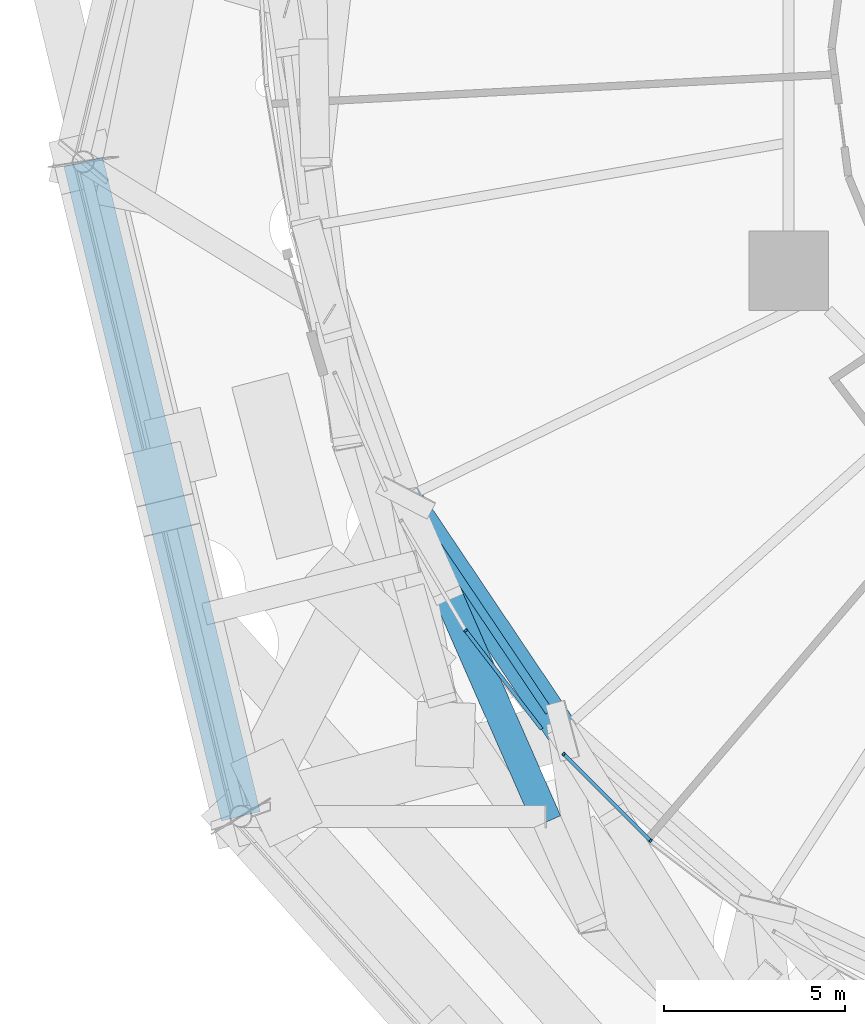
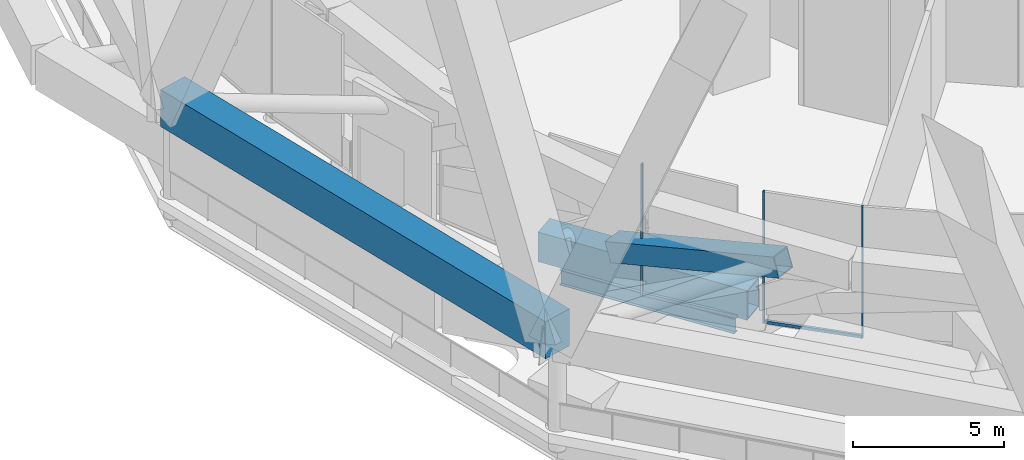
# One storey, part 4 of 65: 6 members, 3 beams, 3 elements without a shape of their own.
"""IFC4 building model written with IfcOpenShell, lengths in metres."""

from ifc_helpers import new_model, si_unit, direction, frame, origin, origin_2d, place, context, subcontext, project, spatial, rectangle, hollow_rectangle, i_section, extrude, material, layer, layer_set, material_profile, profile_set, type_object, element, aggregate, save


model = new_model("IFC4")

# Units and contexts
model_context = context("Model", 3, precision=1e-05, world=origin(), true_north=direction((0.0, 1.0)))
body_context = subcontext(model_context, "Body", "Model", "MODEL_VIEW")
ifc_project = project(units=[si_unit("LENGTHUNIT", "METRE"), si_unit("AREAUNIT", "SQUARE_METRE"), si_unit("VOLUMEUNIT", "CUBIC_METRE"), si_unit("PLANEANGLEUNIT", "RADIAN"), si_unit("MASSUNIT", "GRAM", prefix="KILO")], contexts=[model_context])

# Site, building, storey
site_placement = place(None, origin())
site = spatial("IfcSite", under=ifc_project, at=site_placement, CompositionType="ELEMENT")
building_placement = place(site_placement, origin())
building = spatial("IfcBuilding", under=site, at=building_placement, Name="Nagisa Residences", CompositionType="ELEMENT")
storey_placement = place(building_placement, frame((0.0, 0.0, 114.0)))
storey = spatial("IfcBuildingStorey", under=building, at=storey_placement, Name="L28", CompositionType="ELEMENT", Elevation=114.0)

# Beams
ifc_material_1 = material(Name="Steel ASTM A572 Gr 50", Category="steel")
ifc_material_profile_1 = material_profile(ifc_material_1, hollow_rectangle(XDim=0.89990234375, YDim=1.199951171875, WallThickness=0.050048828125, at=origin_2d()), Name="BX 900x1200x50")
ifc_profile_set_1 = profile_set([ifc_material_profile_1], Name="Steel ASTM A572 Gr 50")
beam_type_1 = type_object("IfcBeamType", Name="Belt chord 2 BX 900x1200x50", PredefinedType="BEAM", material=ifc_profile_set_1)
beam_1_placement = place(storey_placement, frame((-25.3515625, -12.389892578125, 0.60009765625), z_axis=(0.558231952624, -0.829684932411, 0.0), x_axis=(0.829684932411, 0.558231952624, 0.0)))
element("IfcBeam", 1, at=beam_1_placement, inside=storey, type_object=beam_type_1, Name="beam:L28:bt2b15", PredefinedType="BEAM", context=body_context, shape_type="SweptSolid", body=[
    extrude(hollow_rectangle(XDim=0.89990234375, YDim=1.199951171875, WallThickness=0.050048828125, at=origin_2d()), origin(), (0.0, 0.0, 1.0), 7.741943359375),
])
ifc_material_2 = material(Name="Steel ASTM A572 Gr 50", Category="steel")
ifc_material_profile_2 = material_profile(ifc_material_2, hollow_rectangle(XDim=0.800048828125, YDim=0.800048828125, WallThickness=0.044921875, at=origin_2d()), Name="BX 800x800x45")
ifc_profile_set_2 = profile_set([ifc_material_profile_2], Name="Steel ASTM A572 Gr 50")
beam_type_2 = type_object("IfcBeamType", Name="Belt diagonal 2 BX 800x800x45", PredefinedType="BEAM", material=ifc_profile_set_2)
beam_2_placement = place(storey_placement, frame((-24.171630859375, -15.080322265625, 1.550048828125), z_axis=(0.382140450454, -0.871384849552, 0.307663972702), x_axis=(0.915805947305, 0.401621048853, 0.0)))
element("IfcBeam", 2, at=beam_2_placement, inside=storey, type_object=beam_type_2, Name="beam:L28:bt2db15", PredefinedType="BEAM", context=body_context, shape_type="SweptSolid", body=[
    extrude(hollow_rectangle(XDim=0.800048828125, YDim=0.800048828125, WallThickness=0.044921875, at=origin_2d()), origin(), (0.0, 0.0, 1.0), 7.280517578125),
])

# Curtain wall, member
ifc_material_3 = material(Name="Aluminium curtain wall system", Category="aluminium")
ifc_layer = layer(ifc_material_3, 0.159912109375)
ifc_layer_set = layer_set([ifc_layer], Name="CW5 CURTAIN WALL")
curtain_wall_type = type_object("IfcCurtainWallType", Name="CW5 CURTAIN WALL", PredefinedType="NOTDEFINED", material=ifc_layer_set)
curtain_wall_1_placement = place(storey_placement, origin())
curtain_wall_1 = element("IfcCurtainWall", 3, at=curtain_wall_1_placement, inside=storey, type_object=curtain_wall_type, Name="cw:CW5:L28:29", PredefinedType="NOTDEFINED")
ifc_material_4 = material(Name="Aluminium", Category="aluminium")
ifc_material_profile_3 = material_profile(ifc_material_4, rectangle(XDim=0.10009765625, YDim=0.06005859375, at=origin_2d()), Name="CW5 MULLION 100x60")
ifc_profile_set_3 = profile_set([ifc_material_profile_3], Name="Aluminium")
member_type_1 = type_object("IfcMemberType", Name="CW5 MULLION 100x60", PredefinedType="MULLION", material=ifc_profile_set_3)
member_1_placement = place(storey_placement, frame((-23.690185546875, -16.042236328125, 0.0), z_axis=(0.0, 0.0, 1.0), x_axis=(0.792070340816, 0.610429828235, 0.0)))
member_1 = element("IfcMember", 4, at=member_1_placement, type_object=member_type_1, Name="CW5 mullion", PredefinedType="MULLION", context=body_context, shape_type="SweptSolid", body=[
    extrude(rectangle(XDim=0.10009765625, YDim=0.06005859375, at=origin_2d()), origin(), (0.0, 0.0, 1.0), 5.340087890625),
])

curtain_wall_2_placement = place(storey_placement, origin())
curtain_wall_2 = element("IfcCurtainWall", 5, at=curtain_wall_2_placement, inside=storey, type_object=curtain_wall_type, Name="cw:CW5:L28:30", PredefinedType="NOTDEFINED")
member_2_placement = place(storey_placement, frame((-20.987060546875, -19.44921875, 0.0), z_axis=(0.0, 0.0, 1.0), x_axis=(0.706376885714, 0.707835924016, 0.0)))
member_2 = element("IfcMember", 6, at=member_2_placement, type_object=member_type_1, Name="CW5 mullion", PredefinedType="MULLION", context=body_context, shape_type="SweptSolid", body=[
    extrude(rectangle(XDim=0.10009765625, YDim=0.06005859375, at=origin_2d()), origin(), (0.0, 0.0, 1.0), 5.340087890625),
])

curtain_wall_3_placement = place(storey_placement, origin())
curtain_wall_3 = element("IfcCurtainWall", 7, at=curtain_wall_3_placement, inside=storey, type_object=curtain_wall_type, Name="cw:CW5:L28:31", PredefinedType="NOTDEFINED")
member_3_placement = place(storey_placement, frame((-18.58740234375, -21.83935546875, 0.0), z_axis=(0.0, 0.0, 1.0), x_axis=(0.605255421737, 0.79603132756, 0.0)))
member_3 = element("IfcMember", 8, at=member_3_placement, type_object=member_type_1, Name="CW5 mullion", PredefinedType="MULLION", context=body_context, shape_type="SweptSolid", body=[
    extrude(rectangle(XDim=0.10009765625, YDim=0.06005859375, at=origin_2d()), origin(), (0.0, 0.0, 1.0), 5.340087890625),
])
aggregate(curtain_wall_3, [member_3])

# Member
ifc_material_5 = material(Name="Aluminium", Category="aluminium")
ifc_material_profile_4 = material_profile(ifc_material_5, rectangle(XDim=0.10009765625, YDim=0.1201171875, at=origin_2d()), Name="CW5 TRANSOM 100x120")
ifc_profile_set_4 = profile_set([ifc_material_profile_4], Name="Aluminium")
member_type_2 = type_object("IfcMemberType", Name="CW5 TRANSOM 100x120", PredefinedType="USERDEFINED", material=ifc_profile_set_4)
member_4_placement = place(storey_placement, frame((-23.70849609375, -16.0185546875, 0.06005859375), z_axis=(0.610405586203, -0.792089022984, 0.0), x_axis=(0.792089022984, 0.610405586203, 0.0)))
member_4 = element("IfcMember", 9, at=member_4_placement, type_object=member_type_2, Name="CW5 transom", ObjectType="TRANSOM", PredefinedType="USERDEFINED", context=body_context, shape_type="SweptSolid", body=[
    extrude(rectangle(XDim=0.10009765625, YDim=0.1201171875, at=origin_2d()), origin(), (0.0, 0.0, 1.0), 3.462890625),
])

aggregate(curtain_wall_1, [member_1, member_4])

member_5_placement = place(storey_placement, frame((-21.00830078125, -19.427978515625, 0.06005859375), z_axis=(0.70786079798, -0.706351959495, 0.0), x_axis=(0.706351959495, 0.70786079798, 0.0)))
member_5 = element("IfcMember", 10, at=member_5_placement, type_object=member_type_2, Name="CW5 transom", ObjectType="TRANSOM", PredefinedType="USERDEFINED", context=body_context, shape_type="SweptSolid", body=[
    extrude(rectangle(XDim=0.10009765625, YDim=0.1201171875, at=origin_2d()), origin(), (0.0, 0.0, 1.0), 3.39794921875),
])

aggregate(curtain_wall_2, [member_2, member_5])

ifc_material_6 = material(Name="Concrete C80", Category="concrete")
ifc_material_profile_5 = material_profile(ifc_material_6, rectangle(XDim=1.10009765625, YDim=1.5, at=origin_2d()), Name="C80 1100x1500")
ifc_profile_set_5 = profile_set([ifc_material_profile_5], Name="Concrete C80")
member_type_3 = type_object("IfcMemberType", Name="Cage ring 3 C80 1100x1500", PredefinedType="CHORD", material=ifc_profile_set_5)
member_6_placement = place(storey_placement, frame((-34.235107421875, -3.11767578125, 3.699951171875), z_axis=(0.234087679097, -0.972215489742, 0.0), x_axis=(0.972215489742, 0.234087679097, 0.0)))
element("IfcMember", 11, at=member_6_placement, inside=storey, type_object=member_type_3, Name="beam:L28:cg3r007", PredefinedType="CHORD", context=body_context, shape_type="SweptSolid", body=[
    extrude(rectangle(XDim=1.10009765625, YDim=1.5, at=origin_2d()), origin(), (0.0, 0.0, 1.0), 18.5634765625),
])

# Beam
ifc_material_7 = material(Name="Steel ASTM A572 Gr 50", Category="steel")
ifc_material_profile_6 = material_profile(ifc_material_7, i_section(OverallWidth=0.22900390625, OverallDepth=0.612060546875, WebThickness=0.011962890625, FlangeThickness=0.01953125, at=origin_2d()), Name="W610x125")
ifc_profile_set_6 = profile_set([ifc_material_profile_6], Name="Steel ASTM A572 Gr 50")
beam_type_3 = type_object("IfcBeamType", Name="Perimeter ring beam W610x125", PredefinedType="BEAM", material=ifc_profile_set_6)
beam_3_placement = place(storey_placement, frame((-24.9970703125, -12.91650390625, -0.656005859375), z_axis=(0.558203607151, -0.829704003222, 0.0), x_axis=(0.829704003222, 0.558203607151, 0.0)))
element("IfcBeam", 12, at=beam_3_placement, inside=storey, type_object=beam_type_3, Name="beam:L28:pb15", PredefinedType="BEAM", context=body_context, shape_type="SweptSolid", body=[
    extrude(i_section(OverallWidth=0.22900390625, OverallDepth=0.612060546875, WebThickness=0.011962890625, FlangeThickness=0.01953125, at=origin_2d()), origin(), (0.0, 0.0, 1.0), 6.4716796875),
])

save(model, "model.ifc")
